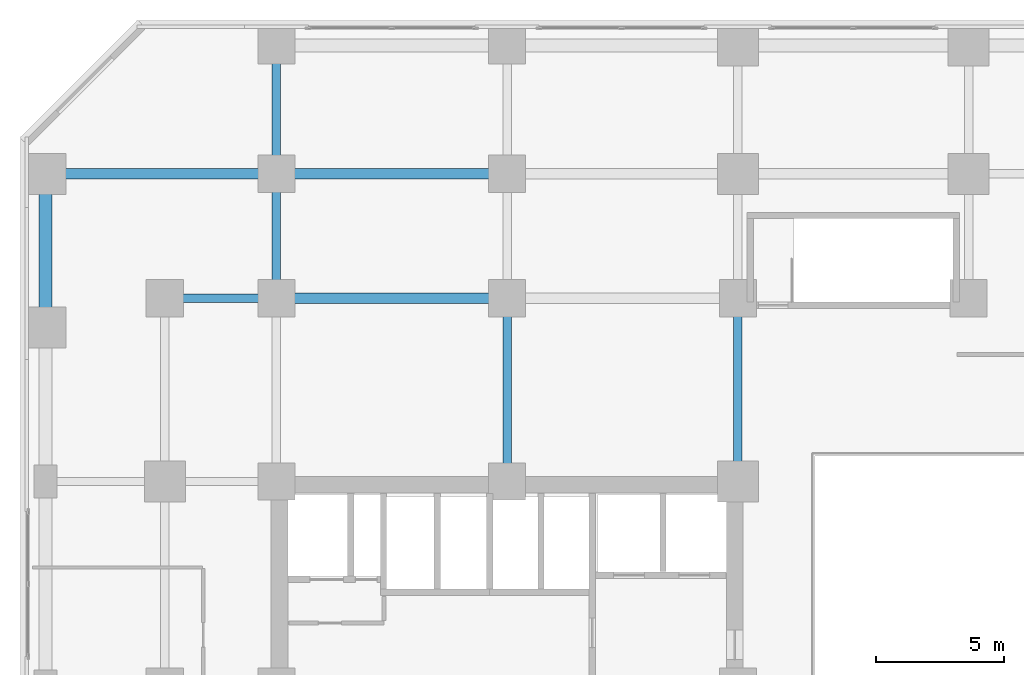
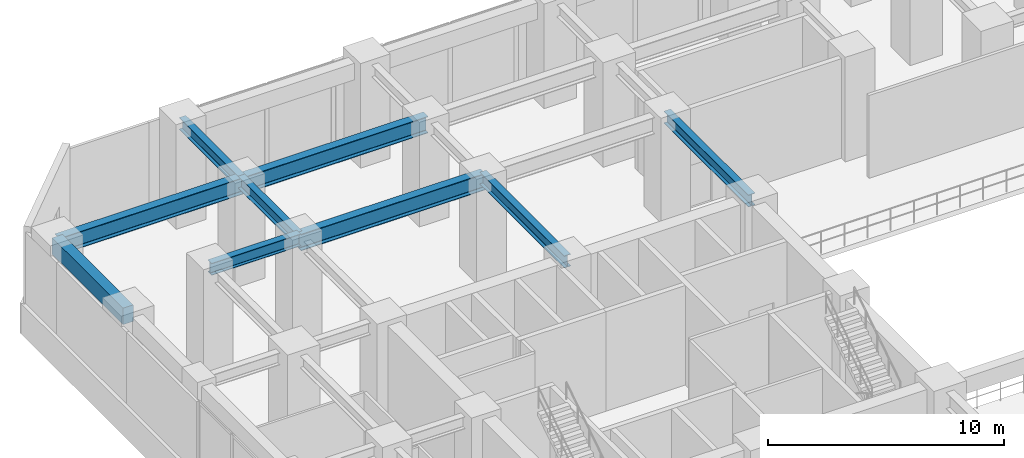
# One storey, part 16 of 33: 9 beams.
"""IFC4 building model written with IfcOpenShell, lengths in metres."""

from ifc_helpers import new_model, si_unit, direction, frame, origin, origin_2d, place, context, subcontext, project, spatial, rectangle, i_section, extrude, source, transform, mapped, material, material_profile, profile_set, type_object, element, save


model = new_model("IFC4")

# Units and contexts
model_context = context("Model", 3, precision=1e-05, world=origin(), true_north=direction((0.0, 1.0)))
body_context = subcontext(model_context, "Body", "Model", "MODEL_VIEW")
ifc_project = project(units=[si_unit("LENGTHUNIT", "METRE"), si_unit("AREAUNIT", "SQUARE_METRE"), si_unit("VOLUMEUNIT", "CUBIC_METRE"), si_unit("PLANEANGLEUNIT", "RADIAN"), si_unit("MASSUNIT", "GRAM", prefix="KILO")], contexts=[model_context])

# Site, building, storey
site_placement = place(None, origin())
site = spatial("IfcSite", under=ifc_project, at=site_placement, CompositionType="ELEMENT")
building_placement = place(site_placement, origin())
building = spatial("IfcBuilding", under=site, at=building_placement, Name="Torre Montelarca", CompositionType="ELEMENT")
storey_placement = place(building_placement, frame((0.0, 0.0, 12.0)))
storey = spatial("IfcBuildingStorey", under=building, at=storey_placement, Name="L03", CompositionType="ELEMENT", Elevation=12.0)

# Beams
ifc_material_1 = material(Name="Concrete C55/67", Category="concrete")
ifc_material_profile_1 = material_profile(ifc_material_1, rectangle(XDim=0.5, YDim=0.85009765625, at=origin_2d()), Name="RCB500X850", Category="concrete")
ifc_profile_set_1 = profile_set([ifc_material_profile_1], Name="Concrete C55/67")
beam_type_1 = type_object("IfcBeamType", Name="BM-SP-RC850-EXT", PredefinedType="SPANDREL", material=ifc_profile_set_1)
shared_shape_1 = source(origin(), body_context, "Body", "SweptSolid", [
    extrude(rectangle(XDim=0.5, YDim=0.85009765625, at=origin_2d()), origin(), (0.0, 0.0, 1.0), 6.0),
])
beam_1_placement = place(storey_placement, frame((0.0, 46.0, 4.715087890625), z_axis=(0.0, 1.0, 0.0), x_axis=(-1.0, 0.0, 0.0)))
element("IfcBeam", 1, at=beam_1_placement, inside=storey, type_object=beam_type_1, Name="L03 Grid Girder Y 46.0-52.0 at X=0.0", PredefinedType="SPANDREL", context=body_context, shape_type="MappedRepresentation", body=[
    mapped(shared_shape_1, transform((0.0, 0.0, 0.0), scale=1.0)),
])
ifc_material_2 = material(Name="Steel ASTM A992 Grade 50", Category="steel")
ifc_material_profile_2 = material_profile(ifc_material_2, i_section(OverallWidth=0.39990234375, OverallDepth=0.85498046875, WebThickness=0.018310546875, FlangeThickness=0.029296875, FilletRadius=0.02001953125, at=origin_2d()), Name="W840X299", Category="steel")
ifc_profile_set_2 = profile_set([ifc_material_profile_2], Name="Steel ASTM A992 Grade 50")
beam_type_2 = type_object("IfcBeamType", Name="BM-G-W840", PredefinedType="BEAM", material=ifc_profile_set_2)
shared_shape_2 = source(origin(), body_context, "Body", "SweptSolid", [
    extrude(i_section(OverallWidth=0.39990234375, OverallDepth=0.85498046875, WebThickness=0.018310546875, FlangeThickness=0.029296875, FilletRadius=0.02001953125, at=origin_2d()), origin(), (0.0, 0.0, 1.0), 9.0),
])
for number, where, z_axis, x_axis, name in (
    (2, (9.0, 47.14990234375, 4.7119140625), (1.0, 0.0, 0.0), (0.0, 1.0, 0.0), "L03 Grid Girder X 9.0-18.0 at Y=47.1"),
    (3, (0.0, 52.0, 4.7119140625), (1.0, 0.0, 0.0), (0.0, 1.0, 0.0), "L03 Grid Girder X 0.0-9.0 at Y=52.0"),
    (4, (9.0, 52.0, 4.7119140625), (1.0, 0.0, 0.0), (0.0, 1.0, 0.0), "L03 Grid Girder X 9.0-18.0 at Y=52.0"),
):
    element("IfcBeam", number, at=place(storey_placement, frame(where, z_axis=z_axis, x_axis=x_axis)), inside=storey, type_object=beam_type_2, Name=name, PredefinedType="BEAM", context=body_context, shape_type="MappedRepresentation", body=[
        mapped(shared_shape_2, transform((0.0, 0.0, 0.0), scale=1.0)),
    ])
ifc_material_profile_3 = material_profile(ifc_material_2, i_section(OverallWidth=0.326904296875, OverallDepth=0.6220703125, WebThickness=0.015380859375, FlangeThickness=0.0244140625, FilletRadius=0.014892578125, at=origin_2d()), Name="W610X195", Category="steel")
ifc_profile_set_3 = profile_set([ifc_material_profile_3], Name="Steel ASTM A992 Grade 50")
beam_type_3 = type_object("IfcBeamType", Name="BM-G-W610H", PredefinedType="BEAM", material=ifc_profile_set_3)
shared_shape_3 = source(origin(), body_context, "Body", "SweptSolid", [
    extrude(i_section(OverallWidth=0.326904296875, OverallDepth=0.6220703125, WebThickness=0.015380859375, FlangeThickness=0.0244140625, FilletRadius=0.014892578125, at=origin_2d()), origin(), (0.0, 0.0, 1.0), 4.35009765625),
])
beam_2_placement = place(storey_placement, frame((4.64990234375, 47.14990234375, 4.8291015625), z_axis=(1.0, 0.0, 0.0), x_axis=(0.0, 1.0, 0.0)))
element("IfcBeam", 5, at=beam_2_placement, inside=storey, type_object=beam_type_3, Name="L03 Grid Girder X 4.7-9.0 at Y=47.1", PredefinedType="BEAM", context=body_context, shape_type="MappedRepresentation", body=[
    mapped(shared_shape_3, transform((0.0, 0.0, 0.0), scale=1.0)),
])
shared_shape_4 = source(origin(), body_context, "Body", "SweptSolid", [
    extrude(i_section(OverallWidth=0.326904296875, OverallDepth=0.6220703125, WebThickness=0.015380859375, FlangeThickness=0.0244140625, FilletRadius=0.014892578125, at=origin_2d()), origin(), (0.0, 0.0, 1.0), 7.14990234375),
])
for number, where, z_axis, x_axis, name in (
    (6, (18.0, 40.0, 4.8291015625), (0.0, 1.0, 0.0), (-1.0, 0.0, 0.0), "L03 Grid Girder Y 40.0-47.1 at X=18.0"),
    (7, (27.0, 40.0, 4.8291015625), (0.0, 1.0, 0.0), (-1.0, 0.0, 0.0), "L03 Grid Girder Y 40.0-47.1 at X=27.0"),
):
    element("IfcBeam", number, at=place(storey_placement, frame(where, z_axis=z_axis, x_axis=x_axis)), inside=storey, type_object=beam_type_3, Name=name, PredefinedType="BEAM", context=body_context, shape_type="MappedRepresentation", body=[
        mapped(shared_shape_4, transform((0.0, 0.0, 0.0), scale=1.0)),
    ])
shared_shape_5 = source(origin(), body_context, "Body", "SweptSolid", [
    extrude(i_section(OverallWidth=0.326904296875, OverallDepth=0.6220703125, WebThickness=0.015380859375, FlangeThickness=0.0244140625, FilletRadius=0.014892578125, at=origin_2d()), origin(), (0.0, 0.0, 1.0), 4.85009765625),
])
beam_3_placement = place(storey_placement, frame((9.0, 47.14990234375, 4.8291015625), z_axis=(0.0, 1.0, 0.0), x_axis=(-1.0, 0.0, 0.0)))
element("IfcBeam", 8, at=beam_3_placement, inside=storey, type_object=beam_type_3, Name="L03 Grid Girder Y 47.1-52.0 at X=9.0", PredefinedType="BEAM", context=body_context, shape_type="MappedRepresentation", body=[
    mapped(shared_shape_5, transform((0.0, 0.0, 0.0), scale=1.0)),
])
shared_shape_6 = source(origin(), body_context, "Body", "SweptSolid", [
    extrude(i_section(OverallWidth=0.326904296875, OverallDepth=0.6220703125, WebThickness=0.015380859375, FlangeThickness=0.0244140625, FilletRadius=0.014892578125, at=origin_2d()), origin(), (0.0, 0.0, 1.0), 5.0),
])
beam_4_placement = place(storey_placement, frame((9.0, 52.0, 4.8291015625), z_axis=(0.0, 1.0, 0.0), x_axis=(-1.0, 0.0, 0.0)))
element("IfcBeam", 9, at=beam_4_placement, inside=storey, type_object=beam_type_3, Name="L03 Grid Girder Y 52.0-57.0 at X=9.0", PredefinedType="BEAM", context=body_context, shape_type="MappedRepresentation", body=[
    mapped(shared_shape_6, transform((0.0, 0.0, 0.0), scale=1.0)),
])

save(model, "model.ifc")
